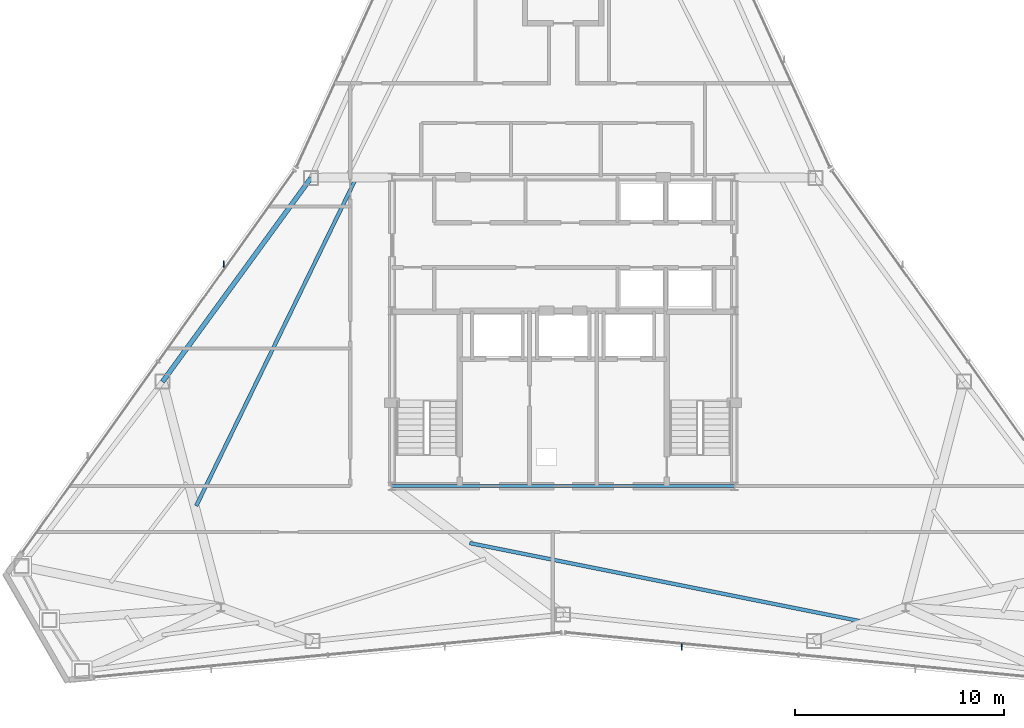
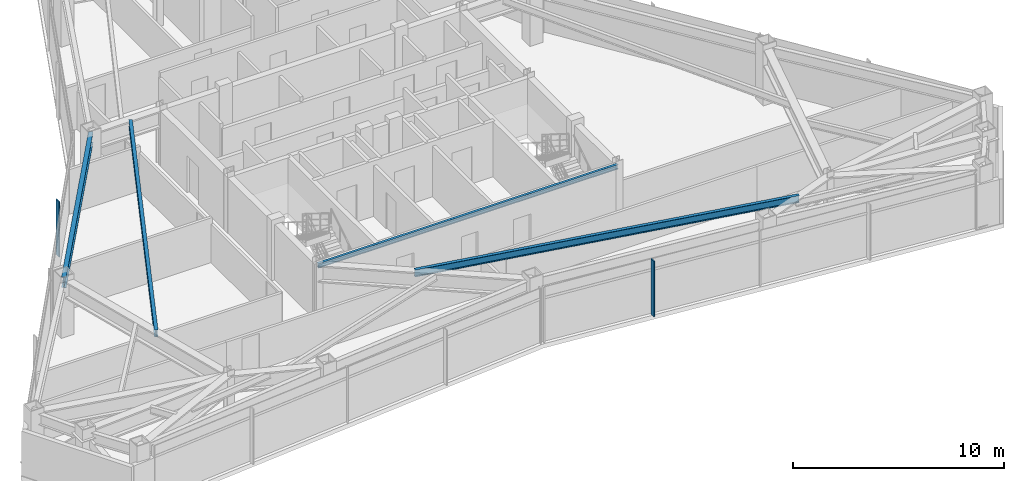
# One storey, part 4 of 11: 4 beams, 2 members, 2 elements without a shape of their own.
"""IFC4 building model written with IfcOpenShell, lengths in metres."""

from ifc_helpers import new_model, si_unit, direction, frame, origin, origin_2d, place, context, subcontext, project, spatial, rectangle, i_section, extrude, source, transform, mapped, material, layer, layer_set, material_profile, profile_set, type_object, type_shapes, element, aggregate, save


model = new_model("IFC4")

# Units and contexts
model_context = context("Model", 3, precision=1e-05, world=origin(), true_north=direction((0.0, 1.0)))
body_context = subcontext(model_context, "Body", "Model", "MODEL_VIEW")
ifc_project = project(units=[si_unit("LENGTHUNIT", "METRE"), si_unit("AREAUNIT", "SQUARE_METRE"), si_unit("VOLUMEUNIT", "CUBIC_METRE"), si_unit("PLANEANGLEUNIT", "RADIAN"), si_unit("MASSUNIT", "GRAM", prefix="KILO")], contexts=[model_context])

# Site, building, storey
site_placement = place(None, origin())
site = spatial("IfcSite", under=ifc_project, at=site_placement, CompositionType="ELEMENT")
building_placement = place(site_placement, origin())
building = spatial("IfcBuilding", under=site, at=building_placement, Name="Varakhsha Concourse Tower", CompositionType="ELEMENT")
storey_placement = place(building_placement, frame((0.0, 0.0, 246.89990234375)))
storey = spatial("IfcBuildingStorey", under=building, at=storey_placement, Name="L70", CompositionType="ELEMENT", Elevation=246.89990234375)

# Beams
ifc_material_1 = material(Name="Structural Steel ASTM A992 Grade 50", Category="steel")
ifc_material_profile_1 = material_profile(ifc_material_1, i_section(OverallWidth=0.177978515625, OverallDepth=0.406982421875, WebThickness=0.008056640625, FlangeThickness=0.012939453125, at=origin_2d()), Name="W16X40")
ifc_profile_set_1 = profile_set([ifc_material_profile_1], Name="Structural Steel ASTM A992 Grade 50")
beam_type_1 = type_object("IfcBeamType", Name="BM-JST-W16X40", PredefinedType="JOIST", material=ifc_profile_set_1)
beam_1_placement = place(storey_placement, frame((30.044921875, 31.089599609375, 2.99658203125), z_axis=(-0.438407596581, -0.898776267633, 0.0), x_axis=(0.898776267633, -0.438407596581, 0.0)))
element("IfcBeam", 1, at=beam_1_placement, inside=storey, type_object=beam_type_1, Name="BM-TJST-L70-05", PredefinedType="JOIST", context=body_context, shape_type="SweptSolid", body=[
    extrude(i_section(OverallWidth=0.177978515625, OverallDepth=0.406982421875, WebThickness=0.008056640625, FlangeThickness=0.012939453125, at=origin_2d()), origin(), (0.0, 0.0, 1.0), 17.39794921875),
])
beam_2_placement = place(storey_placement, frame((35.515869140625, 13.67333984375, 2.99658203125), z_axis=(0.980600699226, -0.196015990871, 0.0), x_axis=(0.196015990871, 0.980600699226, 0.0)))
element("IfcBeam", 2, at=beam_2_placement, inside=storey, type_object=beam_type_1, Name="BM-TJST-L70-11", PredefinedType="JOIST", context=body_context, shape_type="SweptSolid", body=[
    extrude(i_section(OverallWidth=0.177978515625, OverallDepth=0.406982421875, WebThickness=0.008056640625, FlangeThickness=0.012939453125, at=origin_2d()), origin(), (0.0, 0.0, 1.0), 19.221923828125),
])
ifc_material_profile_2 = material_profile(ifc_material_1, i_section(OverallWidth=0.14697265625, OverallDepth=0.261962890625, WebThickness=0.007080078125, FlangeThickness=0.010986328125, at=origin_2d()), Name="W10X26")
ifc_profile_set_2 = profile_set([ifc_material_profile_2], Name="Structural Steel ASTM A992 Grade 50")
beam_type_2 = type_object("IfcBeamType", Name="BM-LNTL-W10X26", PredefinedType="LINTEL", material=ifc_profile_set_2)
beam_3_placement = place(storey_placement, frame((31.800048828125, 16.39990234375, 3.069091796875), z_axis=(1.0, 0.0, 0.0), x_axis=(0.0, 1.0, 0.0)))
element("IfcBeam", 3, at=beam_3_placement, inside=storey, type_object=beam_type_2, Name="BM-TCORE-L70-CS", PredefinedType="LINTEL", context=body_context, shape_type="SweptSolid", body=[
    extrude(i_section(OverallWidth=0.14697265625, OverallDepth=0.261962890625, WebThickness=0.007080078125, FlangeThickness=0.010986328125, at=origin_2d()), origin(), (0.0, 0.0, 1.0), 16.39990234375),
])
ifc_material_profile_3 = material_profile(ifc_material_1, i_section(OverallWidth=0.22900390625, OverallDepth=0.612060546875, WebThickness=0.011962890625, FlangeThickness=0.02001953125, at=origin_2d()), Name="W24X84")
ifc_profile_set_3 = profile_set([ifc_material_profile_3], Name="Structural Steel ASTM A992 Grade 50")
beam_type_3 = type_object("IfcBeamType", Name="BM-SPAN-W24X84", PredefinedType="SPANDREL", material=ifc_profile_set_3)
beam_4_placement = place(storey_placement, frame((27.9208984375, 31.173828125, 2.89404296875), z_axis=(-0.588854814451, -0.808238830729, 0.0), x_axis=(0.808238830729, -0.588854814451, 0.0)))
element("IfcBeam", 4, at=beam_4_placement, inside=storey, type_object=beam_type_3, Name="BM-SPAN-L70-05", PredefinedType="SPANDREL", context=body_context, shape_type="SweptSolid", body=[
    extrude(i_section(OverallWidth=0.22900390625, OverallDepth=0.612060546875, WebThickness=0.011962890625, FlangeThickness=0.02001953125, at=origin_2d()), origin(), (0.0, 0.0, 1.0), 12.087646484375),
])

# Curtain wall, member
ifc_material_2 = material(Name="Anodised Bronze Architectural Aluminium AA 6063-T6", Category="aluminium")
ifc_layer = layer(ifc_material_2, 0.199951171875, Name="CW-SYS-05")
ifc_layer_set = layer_set([ifc_layer], Name="Anodised Bronze Architectural Aluminium AA 6063-T6")
curtain_wall_type = type_object("IfcCurtainWallType", Name="CW-SYS-05", PredefinedType="NOTDEFINED", material=ifc_layer_set)
curtain_wall_1_placement = place(storey_placement, origin())
curtain_wall_1 = element("IfcCurtainWall", 5, at=curtain_wall_1_placement, inside=storey, type_object=curtain_wall_type, Name="L70 Crystal Curtain Wall F3", PredefinedType="NOTDEFINED")
ifc_material_profile_4 = material_profile(ifc_material_2, rectangle(XDim=0.054931640625, YDim=0.300048828125, at=origin_2d()), Name="FIN-BRZ-300")
ifc_profile_set_4 = profile_set([ifc_material_profile_4], Name="Anodised Bronze Architectural Aluminium AA 6063-T6")
member_type = type_object("IfcMemberType", Name="FIN-BRZ-300", PredefinedType="USERDEFINED", material=ifc_profile_set_4)
shared_shape = source(origin(), body_context, "Body", "SweptSolid", [
    extrude(rectangle(XDim=0.054931640625, YDim=0.300048828125, at=origin_2d()), origin(), (0.0, 0.0, 1.0), 3.2001953125),
])
type_shapes(member_type, [shared_shape])
member_1_placement = place(storey_placement, frame((23.732421875, 27.04052734375, 0.0), z_axis=(0.0, 0.0, 1.0), x_axis=(1.0, 0.0, 0.0)))
member_1 = element("IfcMember", 6, at=member_1_placement, type_object=member_type, Name="L70 Anodised Bronze Solar Fin F3-2", ObjectType="SOLAR FIN", PredefinedType="USERDEFINED", context=body_context, shape_type="MappedRepresentation", body=[
    mapped(shared_shape, transform((0.0, 0.0, 0.0), scale=1.0)),
])
aggregate(curtain_wall_1, [member_1])

curtain_wall_2_placement = place(storey_placement, origin())
curtain_wall_2 = element("IfcCurtainWall", 7, at=curtain_wall_2_placement, inside=storey, type_object=curtain_wall_type, Name="L70 Crystal Curtain Wall F6", PredefinedType="NOTDEFINED")
member_2_placement = place(storey_placement, frame((45.673828125, 8.691650390625, 0.0), z_axis=(0.0, 0.0, 1.0), x_axis=(1.0, 0.0, 0.0)))
member_2 = element("IfcMember", 8, at=member_2_placement, type_object=member_type, Name="L70 Anodised Bronze Solar Fin F6-2", ObjectType="SOLAR FIN", PredefinedType="USERDEFINED", context=body_context, shape_type="MappedRepresentation", body=[
    mapped(shared_shape, transform((0.0, 0.0, 0.0), scale=1.0)),
])
aggregate(curtain_wall_2, [member_2])

save(model, "model.ifc")
